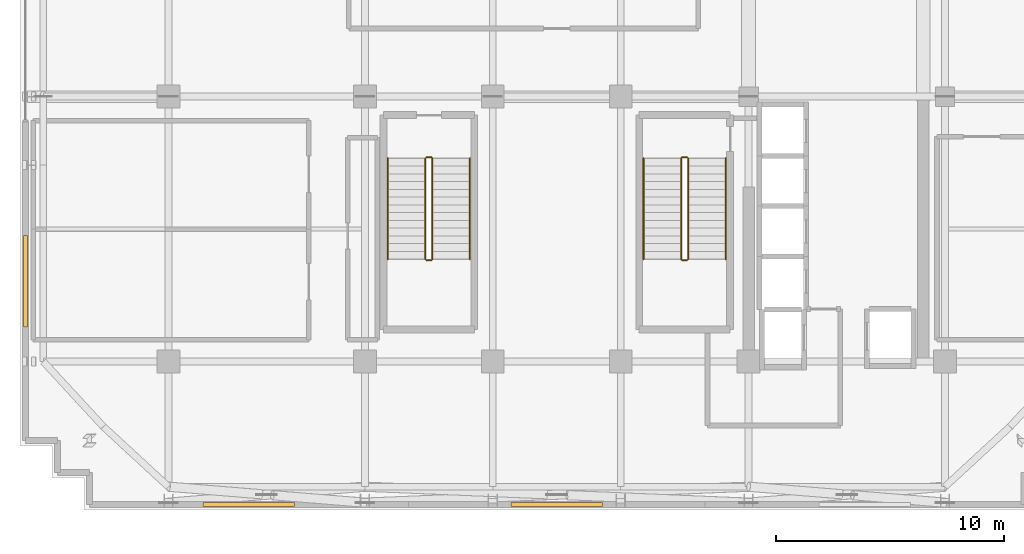
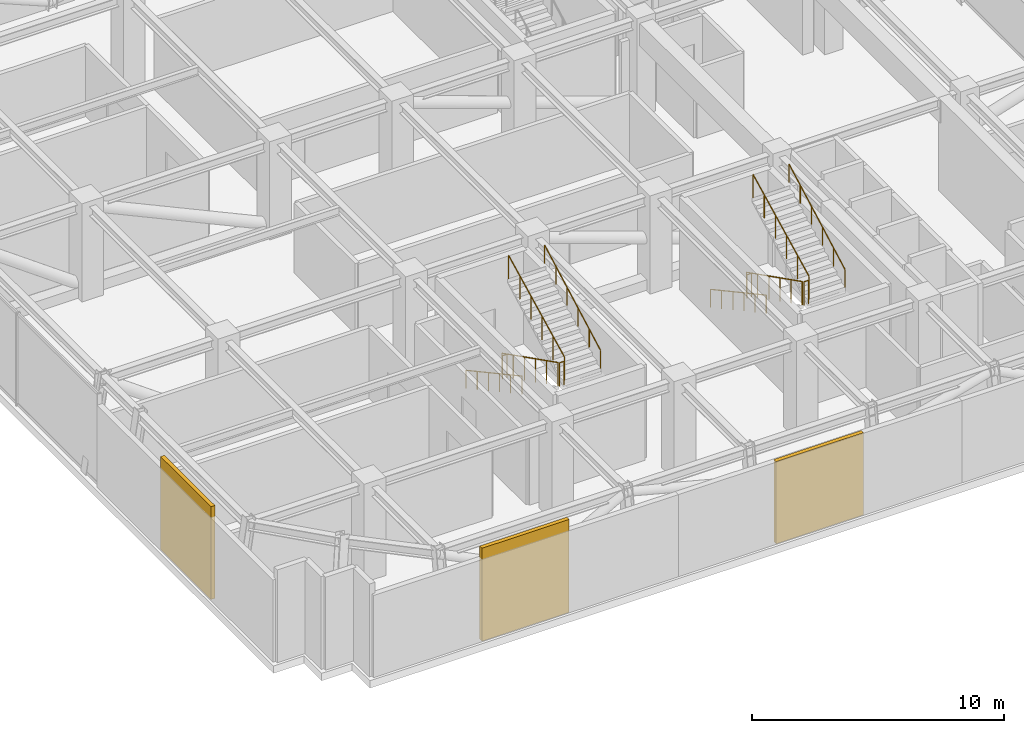
# One storey, part 12 of 15: 12 railings, 3 shading devices.
"""IFC4 building model written with IfcOpenShell, lengths in metres."""

import ifcopenshell
import ifcopenshell.guid

model = None  # the IFC model being written
_history = None  # IfcOwnerHistory: only IFC2X3 demands one
_inside = {}  # id of a spatial element -> (the spatial element, [elements in it])
_under = {}  # id of a project, library or spatial element -> (it, [spatial elements below it])
_declared = {}  # id of a project -> (the project, [libraries it declares])
_typed = {}  # id of a type object -> (the type object, [elements of that type])
_made_of = {}  # id of a material, layer set ... -> (it, [elements and type objects made of it])


def new_model(schema):
    """Start an empty IFC model of exactly this schema.

    Asked for "IFC4X3", IfcOpenShell would pick the latest addendum, in which some entities
    have other attributes; the version numbers below select the first issue.
    IFC2X3 requires an IfcOwnerHistory on every rooted entity: one is made here for all.
    """
    global model, _history
    if schema == "IFC4X3":
        model = ifcopenshell.file(schema_version=(4, 3, 0, 0))
    else:
        model = ifcopenshell.file(schema=schema)
    _inside.clear()
    _under.clear()
    _declared.clear()
    _typed.clear()
    _made_of.clear()
    _history = None
    if model.schema == "IFC2X3":
        org = make("IfcOrganization", Name="unknown")
        user = make(
            "IfcPersonAndOrganization",
            ThePerson=make("IfcPerson", FamilyName="unknown"),
            TheOrganization=org,
        )
        app = make(
            "IfcApplication",
            ApplicationDeveloper=org,
            Version="unknown",
            ApplicationFullName="unknown",
            ApplicationIdentifier="unknown",
        )
        _history = make(
            "IfcOwnerHistory",
            OwningUser=user,
            OwningApplication=app,
            ChangeAction="ADDED",
            CreationDate=0,
        )
    return model


def make(cls, **values):
    """One entity of the class cls with the attributes given. An attribute that is None is left unset."""
    return model.create_entity(
        cls, **{name: value for name, value in values.items() if value is not None}
    )


def rooted(cls, **values):
    """An entity with a GlobalId (a new one), such as an element, a storey or a relation."""
    return make(cls, GlobalId=ifcopenshell.guid.new(), OwnerHistory=_history, **values)


def si_unit(unit_type, name, prefix=None):
    """IfcSIUnit, for example si_unit("LENGTHUNIT", "METRE", prefix="MILLI")."""
    return make("IfcSIUnit", UnitType=unit_type, Prefix=prefix, Name=name)


def assignment(units):
    """IfcUnitAssignment: the units of a project."""
    return None if units is None else make("IfcUnitAssignment", Units=units)


def point(xyz):
    """IfcCartesianPoint."""
    return None if xyz is None else make("IfcCartesianPoint", Coordinates=xyz)


def direction(xyz):
    """IfcDirection."""
    return None if xyz is None else make("IfcDirection", DirectionRatios=xyz)


def frame(location, z_axis=None, x_axis=None):
    """IfcAxis2Placement3D, a coordinate frame: its origin and axes. An axis left out is left unset."""
    return make(
        "IfcAxis2Placement3D",
        Location=point(location),
        Axis=direction(z_axis),
        RefDirection=direction(x_axis),
    )


def frame_2d(location, x_axis=None):
    """IfcAxis2Placement2D, a coordinate frame in the plane: its origin and x axis."""
    return make(
        "IfcAxis2Placement2D", Location=point(location), RefDirection=direction(x_axis)
    )


def origin():
    """The frame at (0, 0, 0) with its axes left unset."""
    return frame((0.0, 0.0, 0.0))


def origin_2d():
    """The frame at (0, 0) in the plane with its x axis left unset."""
    return frame_2d((0.0, 0.0))


def place(relative_to, where):
    """IfcLocalPlacement: puts the frame where relative to a parent placement (None: the world)."""
    return make(
        "IfcLocalPlacement", PlacementRelTo=relative_to, RelativePlacement=where
    )


def context(
    kind, dimensions, precision=None, world=None, true_north=None, identifier=None
):
    """IfcGeometricRepresentationContext, for example the 3D "Model" context."""
    return make(
        "IfcGeometricRepresentationContext",
        ContextIdentifier=identifier,
        ContextType=kind,
        CoordinateSpaceDimension=dimensions,
        Precision=precision,
        WorldCoordinateSystem=world,
        TrueNorth=true_north,
    )


def subcontext(parent, identifier, kind, view, scale=None):
    """IfcGeometricRepresentationSubContext, for example "Body" below "Model"."""
    return make(
        "IfcGeometricRepresentationSubContext",
        ContextIdentifier=identifier,
        ContextType=kind,
        ParentContext=parent,
        TargetScale=scale,
        TargetView=view,
    )


def project(units=None, contexts=None):
    """IfcProject with its units and contexts."""
    return rooted(
        "IfcProject",
        Name="project",
        RepresentationContexts=contexts,
        UnitsInContext=assignment(units),
    )


def spatial(cls, under=None, at=None, **own):
    """A site, building, storey or space (cls), placed at a placement, below another one or the project."""
    s = rooted(cls, ObjectPlacement=at, **own)
    if under is not None:
        _under.setdefault(under.id(), (under, []))[1].append(s)
    return s


def profile(cls, at=None, kind="AREA", **sizes):
    """A parametric profile (cls). Its sizes go by their IFC names, for example OverallWidth=200.0."""
    return make(cls, ProfileType=kind, Position=at, **sizes)


def rectangle(**sizes):
    """IfcRectangleProfileDef."""
    return profile("IfcRectangleProfileDef", **sizes)


def circle(**sizes):
    """IfcCircleProfileDef."""
    return profile("IfcCircleProfileDef", **sizes)


def extrude(swept, where, along, depth):
    """IfcExtrudedAreaSolid: the profile swept, set in the frame where, extruded along a direction by depth."""
    return make(
        "IfcExtrudedAreaSolid",
        SweptArea=swept,
        Position=where,
        ExtrudedDirection=direction(along),
        Depth=depth,
    )


def shape(context_of_items, identifier, shape_type, items):
    """IfcShapeRepresentation: the items that make up one representation, for example the "Body"."""
    return make(
        "IfcShapeRepresentation",
        ContextOfItems=context_of_items,
        RepresentationIdentifier=identifier,
        RepresentationType=shape_type,
        Items=items,
    )


def source(mapping_origin, context_of_items, identifier, shape_type, items):
    """IfcRepresentationMap: a shape defined once, which mapped items show again and again."""
    return make(
        "IfcRepresentationMap",
        MappingOrigin=mapping_origin,
        MappedRepresentation=shape(context_of_items, identifier, shape_type, items),
    )


def transform(
    local_origin,
    x_axis=None,
    y_axis=None,
    z_axis=None,
    scale=None,
    scale2=None,
    scale3=None,
    uniform=True,
):
    """IfcCartesianTransformationOperator3D, or its non-uniform kind. x_axis, y_axis, z_axis: its Axis1, 2, 3."""
    if uniform:
        return make(
            "IfcCartesianTransformationOperator3D",
            Axis1=direction(x_axis),
            Axis2=direction(y_axis),
            LocalOrigin=point(local_origin),
            Scale=scale,
            Axis3=direction(z_axis),
        )
    return make(
        "IfcCartesianTransformationOperator3DnonUniform",
        Axis1=direction(x_axis),
        Axis2=direction(y_axis),
        LocalOrigin=point(local_origin),
        Scale=scale,
        Axis3=direction(z_axis),
        Scale2=scale2,
        Scale3=scale3,
    )


def mapped(mapping_source, mapping_target):
    """IfcMappedItem: shows the shape of a source again, moved by a transform."""
    return make(
        "IfcMappedItem", MappingSource=mapping_source, MappingTarget=mapping_target
    )


def material(Name=None, Category=None):
    """IfcMaterial."""
    return make("IfcMaterial", Name=Name, Category=Category)


def layer(
    of_material, thickness, ventilated=None, Name=None, Category=None, Priority=None
):
    """IfcMaterialLayer: one layer of a wall or slab, of a material (None: an air gap)."""
    return make(
        "IfcMaterialLayer",
        Material=of_material,
        LayerThickness=thickness,
        IsVentilated=ventilated,
        Name=Name,
        Category=Category,
        Priority=Priority,
    )


def layer_set(layers, Name=None):
    """IfcMaterialLayerSet."""
    return make("IfcMaterialLayerSet", MaterialLayers=layers, LayerSetName=Name)


def made_of(thing, what):
    """Note that an element or type object is made of a material, layer set ...; save() writes the relation."""
    if what is not None:
        _made_of.setdefault(what.id(), (what, []))[1].append(thing)
    return thing


def type_object(cls, material=None, **own):
    """A type object (cls), such as IfcWallType, which elements share."""
    return made_of(rooted(cls, **own), material)


def element(
    cls,
    number,
    at=None,
    inside=None,
    cuts=None,
    type_object=None,
    material=None,
    context=None,
    identifier="Body",
    shape_type=None,
    held_by="IfcProductDefinitionShape",
    body=None,
    shapes=None,
    **own,
):
    """One element of the class cls, such as IfcWall. Its Tag is "e" and its number.

    at: its placement. inside: the storey or other place that contains it. cuts: it is an
    opening in that element (IfcRelVoidsElement). A single representation is given by context,
    identifier, shape_type and body (its items); several are given by shapes. held_by: the class
    of the entity that holds the representations. save() writes the other relations.
    """
    e = rooted(cls, Tag="e%d" % number, ObjectPlacement=at, **own)
    if body is not None:
        shapes = [shape(context, identifier, shape_type, body)]
    if shapes is not None:
        e.Representation = make(held_by, Representations=shapes)
    if inside is not None:
        _inside.setdefault(inside.id(), (inside, []))[1].append(e)
    if cuts is not None:
        rooted(
            "IfcRelVoidsElement", RelatingBuildingElement=cuts, RelatedOpeningElement=e
        )
    if type_object is not None:
        _typed.setdefault(type_object.id(), (type_object, []))[1].append(e)
    return made_of(e, material)


def aggregate(whole, parts):
    """IfcRelAggregates: a whole, such as a stair, and the parts it consists of."""
    return rooted("IfcRelAggregates", RelatingObject=whole, RelatedObjects=parts)


def save(model, path):
    """Write the relations noted so far, then the file.

    IfcRelAggregates (storeys below a building ...), IfcRelContainedInSpatialStructure (elements
    in a storey), IfcRelDefinesByType, IfcRelAssociatesMaterial and IfcRelDeclares: one each for
    every whole, place, type object, material and project.
    """
    for whole, parts in _under.values():
        aggregate(whole, parts)
    for where, things in _inside.values():
        rooted(
            "IfcRelContainedInSpatialStructure",
            RelatedElements=things,
            RelatingStructure=where,
        )
    for kind, things in _typed.values():
        rooted("IfcRelDefinesByType", RelatedObjects=things, RelatingType=kind)
    for what, things in _made_of.values():
        rooted("IfcRelAssociatesMaterial", RelatedObjects=things, RelatingMaterial=what)
    for by, libraries in _declared.values():
        rooted("IfcRelDeclares", RelatingContext=by, RelatedDefinitions=libraries)
    model.write(path)


model = new_model("IFC4")

# Units and contexts
model_context = context("Model", 3, precision=1e-05, world=origin(), true_north=direction((0.0, 1.0)))
body_context = subcontext(model_context, "Body", "Model", "MODEL_VIEW")
ifc_project = project(units=[si_unit("LENGTHUNIT", "METRE"), si_unit("AREAUNIT", "SQUARE_METRE"), si_unit("VOLUMEUNIT", "CUBIC_METRE"), si_unit("PLANEANGLEUNIT", "RADIAN"), si_unit("MASSUNIT", "GRAM", prefix="KILO")], contexts=[model_context])

# Site, building, storey
site_placement = place(None, origin())
site = spatial("IfcSite", under=ifc_project, at=site_placement, CompositionType="ELEMENT")
building_placement = place(site_placement, origin())
building = spatial("IfcBuilding", under=site, at=building_placement, Name="Nahalor Promenade Grand Hotel", CompositionType="ELEMENT")
storey_placement = place(building_placement, frame((0.0, 0.0, 261.5)))
storey = spatial("IfcBuildingStorey", under=building, at=storey_placement, Name="L67", CompositionType="ELEMENT", Elevation=261.5)

# Railings
ifc_material_1 = material(Name="Steel S355JR", Category="steel")
railing_type_1 = type_object("IfcRailingType", Name="Steel Stair Guardrail 1150 mm", PredefinedType="GUARDRAIL", material=ifc_material_1)
railing_1_placement = place(storey_placement, frame((5.449951171875, -8.10009765625, 0.17138671875)))
element("IfcRailing", 1, at=railing_1_placement, inside=storey, type_object=railing_type_1, Name="L67 ST2 stair guard 1", PredefinedType="GUARDRAIL", context=body_context, shape_type="SweptSolid", body=[
    extrude(circle(Radius=0.024048, at=origin_2d()), frame((0.0, 0.0, 1.1259765625), z_axis=(0.0, -0.89292277971, 0.450209850486), x_axis=(1.0, 0.0, 0.0)), (0.0, 0.0, 1.0), 4.949951171875),
    extrude(circle(Radius=0.020996, at=origin_2d()), origin(), (0.0, 0.0, 1.0), 1.099853515625),
    extrude(circle(Radius=0.020996, at=origin_2d()), frame((0.0, -0.884033203125, 0.44580078125)), (0.0, 0.0, 1.0), 1.099853515625),
    extrude(circle(Radius=0.020996, at=origin_2d()), frame((0.0, -1.76806640625, 0.891357421875)), (0.0, 0.0, 1.0), 1.099853515625),
    extrude(circle(Radius=0.020996, at=origin_2d()), frame((0.0, -2.65185546875, 1.337158203125)), (0.0, 0.0, 1.0), 1.099853515625),
    extrude(circle(Radius=0.020996, at=origin_2d()), frame((0.0, -3.535888671875, 1.78271484375)), (0.0, 0.0, 1.0), 1.099853515625),
    extrude(circle(Radius=0.020996, at=origin_2d()), frame((0.0, -4.419921875, 2.228515625)), (0.0, 0.0, 1.0), 1.099853515625),
])
railing_2_placement = place(storey_placement, frame((5.5, -12.570068359375, 2.39990234375)))
element("IfcRailing", 2, at=railing_2_placement, inside=storey, type_object=railing_type_1, Name="L67 ST2 stair guard 2", PredefinedType="GUARDRAIL", context=body_context, shape_type="SweptSolid", body=[
    extrude(circle(Radius=0.024048, at=origin_2d()), frame((0.0, 0.0, 1.1259765625), z_axis=(1.0, 0.0, 0.0), x_axis=(0.0, 1.0, 0.0)), (0.0, 0.0, 1.0), 0.199951171875),
    extrude(circle(Radius=0.020996, at=origin_2d()), origin(), (0.0, 0.0, 1.0), 1.099853515625),
    extrude(circle(Radius=0.020996, at=origin_2d()), frame((0.199951171875, 0.0, 0.0)), (0.0, 0.0, 1.0), 1.099853515625),
])
railing_3_placement = place(storey_placement, frame((5.75, -12.52001953125, 2.571533203125)))
element("IfcRailing", 3, at=railing_3_placement, inside=storey, type_object=railing_type_1, Name="L67 ST2 stair guard 3", PredefinedType="GUARDRAIL", context=body_context, shape_type="SweptSolid", body=[
    extrude(circle(Radius=0.024048, at=origin_2d()), frame((0.0, 0.0, 1.1259765625), z_axis=(0.0, 0.89292277971, 0.450209850486), x_axis=(-1.0, 0.0, 0.0)), (0.0, 0.0, 1.0), 4.949951171875),
    extrude(circle(Radius=0.020996, at=origin_2d()), origin(), (0.0, 0.0, 1.0), 1.099853515625),
    extrude(circle(Radius=0.020996, at=origin_2d()), frame((0.0, 0.884033203125, 0.44580078125)), (0.0, 0.0, 1.0), 1.099853515625),
    extrude(circle(Radius=0.020996, at=origin_2d()), frame((0.0, 1.76806640625, 0.891357421875)), (0.0, 0.0, 1.0), 1.099853515625),
    extrude(circle(Radius=0.020996, at=origin_2d()), frame((0.0, 2.65185546875, 1.337158203125)), (0.0, 0.0, 1.0), 1.099853515625),
    extrude(circle(Radius=0.020996, at=origin_2d()), frame((0.0, 3.535888671875, 1.78271484375)), (0.0, 0.0, 1.0), 1.099853515625),
    extrude(circle(Radius=0.020996, at=origin_2d()), frame((0.0, 4.419921875, 2.228515625)), (0.0, 0.0, 1.0), 1.099853515625),
])
railing_4_placement = place(storey_placement, frame((5.5, -8.050048828125, 0.0)))
element("IfcRailing", 4, at=railing_4_placement, inside=storey, type_object=railing_type_1, Name="L67 ST2 stair guard 4", PredefinedType="GUARDRAIL", context=body_context, shape_type="SweptSolid", body=[
    extrude(circle(Radius=0.024048, at=origin_2d()), frame((0.0, 0.0, 1.1259765625), z_axis=(1.0, 0.0, 0.0), x_axis=(0.0, 1.0, 0.0)), (0.0, 0.0, 1.0), 0.199951171875),
    extrude(circle(Radius=0.020996, at=origin_2d()), origin(), (0.0, 0.0, 1.0), 1.099853515625),
    extrude(circle(Radius=0.020996, at=origin_2d()), frame((0.199951171875, 0.0, 0.0)), (0.0, 0.0, 1.0), 1.099853515625),
])
railing_5_placement = place(storey_placement, frame((-5.75, -8.10009765625, 0.17138671875)))
element("IfcRailing", 5, at=railing_5_placement, inside=storey, type_object=railing_type_1, Name="L67 ST3 stair guard 1", PredefinedType="GUARDRAIL", context=body_context, shape_type="SweptSolid", body=[
    extrude(circle(Radius=0.024048, at=origin_2d()), frame((0.0, 0.0, 1.1259765625), z_axis=(0.0, -0.89292277971, 0.450209850486), x_axis=(1.0, 0.0, 0.0)), (0.0, 0.0, 1.0), 4.949951171875),
    extrude(circle(Radius=0.020996, at=origin_2d()), origin(), (0.0, 0.0, 1.0), 1.099853515625),
    extrude(circle(Radius=0.020996, at=origin_2d()), frame((0.0, -0.884033203125, 0.44580078125)), (0.0, 0.0, 1.0), 1.099853515625),
    extrude(circle(Radius=0.020996, at=origin_2d()), frame((0.0, -1.76806640625, 0.891357421875)), (0.0, 0.0, 1.0), 1.099853515625),
    extrude(circle(Radius=0.020996, at=origin_2d()), frame((0.0, -2.65185546875, 1.337158203125)), (0.0, 0.0, 1.0), 1.099853515625),
    extrude(circle(Radius=0.020996, at=origin_2d()), frame((0.0, -3.535888671875, 1.78271484375)), (0.0, 0.0, 1.0), 1.099853515625),
    extrude(circle(Radius=0.020996, at=origin_2d()), frame((0.0, -4.419921875, 2.228515625)), (0.0, 0.0, 1.0), 1.099853515625),
])
railing_6_placement = place(storey_placement, frame((-5.699951171875, -12.570068359375, 2.39990234375)))
element("IfcRailing", 6, at=railing_6_placement, inside=storey, type_object=railing_type_1, Name="L67 ST3 stair guard 2", PredefinedType="GUARDRAIL", context=body_context, shape_type="SweptSolid", body=[
    extrude(circle(Radius=0.024048, at=origin_2d()), frame((0.0, 0.0, 1.1259765625), z_axis=(1.0, 0.0, 0.0), x_axis=(0.0, 1.0, 0.0)), (0.0, 0.0, 1.0), 0.199951171875),
    extrude(circle(Radius=0.020996, at=origin_2d()), origin(), (0.0, 0.0, 1.0), 1.099853515625),
    extrude(circle(Radius=0.020996, at=origin_2d()), frame((0.199951171875, 0.0, 0.0)), (0.0, 0.0, 1.0), 1.099853515625),
])
railing_7_placement = place(storey_placement, frame((-5.449951171875, -12.52001953125, 2.571533203125)))
element("IfcRailing", 7, at=railing_7_placement, inside=storey, type_object=railing_type_1, Name="L67 ST3 stair guard 3", PredefinedType="GUARDRAIL", context=body_context, shape_type="SweptSolid", body=[
    extrude(circle(Radius=0.024048, at=origin_2d()), frame((0.0, 0.0, 1.1259765625), z_axis=(0.0, 0.89292277971, 0.450209850486), x_axis=(-1.0, 0.0, 0.0)), (0.0, 0.0, 1.0), 4.949951171875),
    extrude(circle(Radius=0.020996, at=origin_2d()), origin(), (0.0, 0.0, 1.0), 1.099853515625),
    extrude(circle(Radius=0.020996, at=origin_2d()), frame((0.0, 0.884033203125, 0.44580078125)), (0.0, 0.0, 1.0), 1.099853515625),
    extrude(circle(Radius=0.020996, at=origin_2d()), frame((0.0, 1.76806640625, 0.891357421875)), (0.0, 0.0, 1.0), 1.099853515625),
    extrude(circle(Radius=0.020996, at=origin_2d()), frame((0.0, 2.65185546875, 1.337158203125)), (0.0, 0.0, 1.0), 1.099853515625),
    extrude(circle(Radius=0.020996, at=origin_2d()), frame((0.0, 3.535888671875, 1.78271484375)), (0.0, 0.0, 1.0), 1.099853515625),
    extrude(circle(Radius=0.020996, at=origin_2d()), frame((0.0, 4.419921875, 2.228515625)), (0.0, 0.0, 1.0), 1.099853515625),
])
railing_8_placement = place(storey_placement, frame((-5.699951171875, -8.050048828125, 0.0)))
element("IfcRailing", 8, at=railing_8_placement, inside=storey, type_object=railing_type_1, Name="L67 ST3 stair guard 4", PredefinedType="GUARDRAIL", context=body_context, shape_type="SweptSolid", body=[
    extrude(circle(Radius=0.024048, at=origin_2d()), frame((0.0, 0.0, 1.1259765625), z_axis=(1.0, 0.0, 0.0), x_axis=(0.0, 1.0, 0.0)), (0.0, 0.0, 1.0), 0.199951171875),
    extrude(circle(Radius=0.020996, at=origin_2d()), origin(), (0.0, 0.0, 1.0), 1.099853515625),
    extrude(circle(Radius=0.020996, at=origin_2d()), frame((0.199951171875, 0.0, 0.0)), (0.0, 0.0, 1.0), 1.099853515625),
])
railing_type_2 = type_object("IfcRailingType", Name="Steel Stair Handrail 900 mm", PredefinedType="HANDRAIL", material=ifc_material_1)
railing_9_placement = place(storey_placement, frame((3.800048828125, -8.10009765625, 0.17138671875)))
element("IfcRailing", 9, at=railing_9_placement, inside=storey, type_object=railing_type_2, Name="L67 ST2 stair handrail 1", PredefinedType="HANDRAIL", context=body_context, shape_type="SweptSolid", body=[
    extrude(circle(Radius=0.024048, at=origin_2d()), frame((0.0, 0.0, 0.8759765625), z_axis=(0.0, -0.878790038763, 0.477208620806), x_axis=(1.0, 0.0, 0.0)), (0.0, 0.0, 1.0), 5.029541015625),
    extrude(circle(Radius=0.020996, at=origin_2d()), origin(), (0.0, 0.0, 1.0), 0.849853515625),
    extrude(circle(Radius=0.020996, at=origin_2d()), frame((0.0, -0.884033203125, 0.47998046875)), (0.0, 0.0, 1.0), 0.849853515625),
    extrude(circle(Radius=0.020996, at=origin_2d()), frame((0.0, -1.76806640625, 0.9599609375)), (0.0, 0.0, 1.0), 0.849853515625),
    extrude(circle(Radius=0.020996, at=origin_2d()), frame((0.0, -2.65185546875, 1.440185546875)), (0.0, 0.0, 1.0), 0.849853515625),
    extrude(circle(Radius=0.020996, at=origin_2d()), frame((0.0, -3.535888671875, 1.920166015625)), (0.0, 0.0, 1.0), 0.849853515625),
    extrude(circle(Radius=0.020996, at=origin_2d()), frame((0.0, -4.419921875, 2.400146484375)), (0.0, 0.0, 1.0), 0.849853515625),
])
railing_10_placement = place(storey_placement, frame((7.39990234375, -12.52001953125, 2.571533203125)))
element("IfcRailing", 10, at=railing_10_placement, inside=storey, type_object=railing_type_2, Name="L67 ST2 stair handrail 2", PredefinedType="HANDRAIL", context=body_context, shape_type="SweptSolid", body=[
    extrude(circle(Radius=0.024048, at=origin_2d()), frame((0.0, 0.0, 0.8759765625), z_axis=(0.0, 0.878810394976, 0.477171132491), x_axis=(-1.0, 0.0, 0.0)), (0.0, 0.0, 1.0), 5.029541015625),
    extrude(circle(Radius=0.020996, at=origin_2d()), origin(), (0.0, 0.0, 1.0), 0.849853515625),
    extrude(circle(Radius=0.020996, at=origin_2d()), frame((0.0, 0.884033203125, 0.47998046875)), (0.0, 0.0, 1.0), 0.849853515625),
    extrude(circle(Radius=0.020996, at=origin_2d()), frame((0.0, 1.76806640625, 0.9599609375)), (0.0, 0.0, 1.0), 0.849853515625),
    extrude(circle(Radius=0.020996, at=origin_2d()), frame((0.0, 2.65185546875, 1.43994140625)), (0.0, 0.0, 1.0), 0.849853515625),
    extrude(circle(Radius=0.020996, at=origin_2d()), frame((0.0, 3.535888671875, 1.919921875)), (0.0, 0.0, 1.0), 0.849853515625),
    extrude(circle(Radius=0.020996, at=origin_2d()), frame((0.0, 4.419921875, 2.39990234375)), (0.0, 0.0, 1.0), 0.849853515625),
])
railing_11_placement = place(storey_placement, frame((-7.39990234375, -8.10009765625, 0.17138671875)))
element("IfcRailing", 11, at=railing_11_placement, inside=storey, type_object=railing_type_2, Name="L67 ST3 stair handrail 1", PredefinedType="HANDRAIL", context=body_context, shape_type="SweptSolid", body=[
    extrude(circle(Radius=0.024048, at=origin_2d()), frame((0.0, 0.0, 0.8759765625), z_axis=(0.0, -0.878790038763, 0.477208620806), x_axis=(1.0, 0.0, 0.0)), (0.0, 0.0, 1.0), 5.029541015625),
    extrude(circle(Radius=0.020996, at=origin_2d()), origin(), (0.0, 0.0, 1.0), 0.849853515625),
    extrude(circle(Radius=0.020996, at=origin_2d()), frame((0.0, -0.884033203125, 0.47998046875)), (0.0, 0.0, 1.0), 0.849853515625),
    extrude(circle(Radius=0.020996, at=origin_2d()), frame((0.0, -1.76806640625, 0.9599609375)), (0.0, 0.0, 1.0), 0.849853515625),
    extrude(circle(Radius=0.020996, at=origin_2d()), frame((0.0, -2.65185546875, 1.440185546875)), (0.0, 0.0, 1.0), 0.849853515625),
    extrude(circle(Radius=0.020996, at=origin_2d()), frame((0.0, -3.535888671875, 1.920166015625)), (0.0, 0.0, 1.0), 0.849853515625),
    extrude(circle(Radius=0.020996, at=origin_2d()), frame((0.0, -4.419921875, 2.400146484375)), (0.0, 0.0, 1.0), 0.849853515625),
])
railing_12_placement = place(storey_placement, frame((-3.800048828125, -12.52001953125, 2.571533203125)))
element("IfcRailing", 12, at=railing_12_placement, inside=storey, type_object=railing_type_2, Name="L67 ST3 stair handrail 2", PredefinedType="HANDRAIL", context=body_context, shape_type="SweptSolid", body=[
    extrude(circle(Radius=0.024048, at=origin_2d()), frame((0.0, 0.0, 0.8759765625), z_axis=(0.0, 0.878810394976, 0.477171132491), x_axis=(-1.0, 0.0, 0.0)), (0.0, 0.0, 1.0), 5.029541015625),
    extrude(circle(Radius=0.020996, at=origin_2d()), origin(), (0.0, 0.0, 1.0), 0.849853515625),
    extrude(circle(Radius=0.020996, at=origin_2d()), frame((0.0, 0.884033203125, 0.47998046875)), (0.0, 0.0, 1.0), 0.849853515625),
    extrude(circle(Radius=0.020996, at=origin_2d()), frame((0.0, 1.76806640625, 0.9599609375)), (0.0, 0.0, 1.0), 0.849853515625),
    extrude(circle(Radius=0.020996, at=origin_2d()), frame((0.0, 2.65185546875, 1.43994140625)), (0.0, 0.0, 1.0), 0.849853515625),
    extrude(circle(Radius=0.020996, at=origin_2d()), frame((0.0, 3.535888671875, 1.919921875)), (0.0, 0.0, 1.0), 0.849853515625),
    extrude(circle(Radius=0.020996, at=origin_2d()), frame((0.0, 4.419921875, 2.39990234375)), (0.0, 0.0, 1.0), 0.849853515625),
])

# Shading devices
ifc_material_2 = material(Name="Anodised Bronze Aluminium EN AW-6063 T6", Category="aluminium")
ifc_layer = layer(ifc_material_2, 0.179931640625)
ifc_layer_set = layer_set([ifc_layer], Name="Anodised Bronze Aluminium EN AW-6063 T6")
shading_device_type = type_object("IfcShadingDeviceType", Name="Shade-PlantLouvre-Bronze", PredefinedType="USERDEFINED", material=ifc_layer_set)
shared_shape_1 = source(origin(), body_context, "Body", "SweptSolid", [
    extrude(rectangle(XDim=4.0, YDim=0.179931640625, at=origin_2d()), origin(), (0.0, 0.0, 1.0), 4.5),
])
for number, where, z_axis, x_axis, name in (
    (13, (-13.47998046875, -23.260009765625, 0.0), (0.0, 0.0, 1.0), (1.0, 0.0, 0.0), "LV-L67-SL"),
    (14, (-23.260009765625, -13.47998046875, 0.0), (0.0, 0.0, 1.0), (0.0, 1.0, 0.0), "LV-L67-WL"),
):
    element("IfcShadingDevice", number, at=place(storey_placement, frame(where, z_axis=z_axis, x_axis=x_axis)), inside=storey, type_object=shading_device_type, Name=name, ObjectType="LOUVRE", PredefinedType="USERDEFINED", context=body_context, shape_type="MappedRepresentation", body=[
        mapped(shared_shape_1, transform((0.0, 0.0, 0.0), scale=1.0)),
    ])
shared_shape_2 = source(origin(), body_context, "Body", "SweptSolid", [
    extrude(rectangle(XDim=4.0, YDim=0.179931640625, at=origin_2d()), origin(), (0.0, 0.0, 1.0), 3.97998046875),
])
shading_device_placement = place(storey_placement, frame((0.0, -23.260009765625, 0.0), z_axis=(0.0, 0.0, 1.0), x_axis=(1.0, 0.0, 0.0)))
element("IfcShadingDevice", 15, at=shading_device_placement, inside=storey, type_object=shading_device_type, Name="LV-L67-SM", ObjectType="LOUVRE", PredefinedType="USERDEFINED", context=body_context, shape_type="MappedRepresentation", body=[
    mapped(shared_shape_2, transform((0.0, 0.0, 0.0), scale=1.0)),
])

save(model, "model.ifc")
